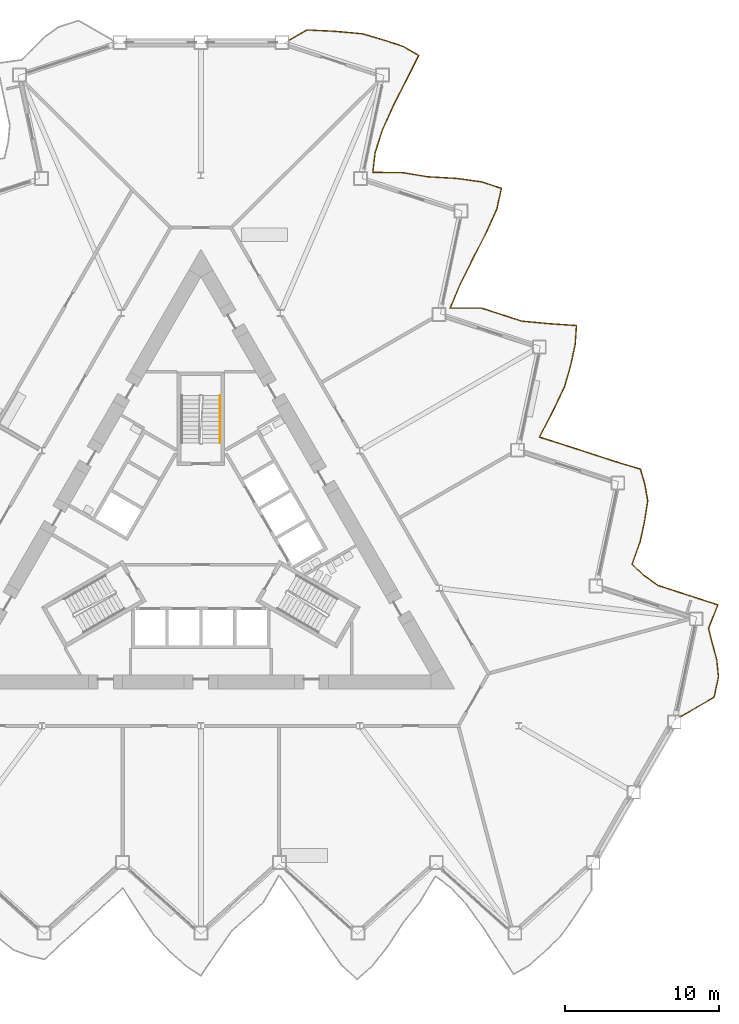
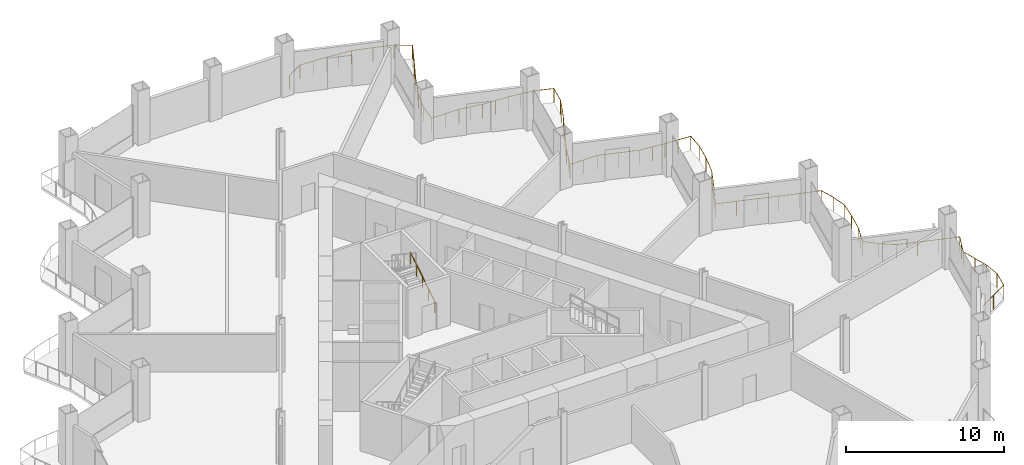
# One storey, part 19 of 21: 2 railings.
"""IFC4 building model written with IfcOpenShell, lengths in metres."""

from ifc_helpers import new_model, si_unit, direction, frame, origin, origin_2d, place, context, subcontext, project, spatial, circle, extrude, material, type_object, element, save


model = new_model("IFC4")

# Units and contexts
model_context = context("Model", 3, precision=1e-05, world=origin(), true_north=direction((0.0, 1.0)))
body_context = subcontext(model_context, "Body", "Model", "MODEL_VIEW")
ifc_project = project(units=[si_unit("LENGTHUNIT", "METRE"), si_unit("AREAUNIT", "SQUARE_METRE"), si_unit("VOLUMEUNIT", "CUBIC_METRE"), si_unit("PLANEANGLEUNIT", "RADIAN"), si_unit("MASSUNIT", "GRAM", prefix="KILO")], contexts=[model_context])

# Site, building, storey
site_placement = place(None, origin())
site = spatial("IfcSite", under=ifc_project, at=site_placement, CompositionType="ELEMENT")
building_placement = place(site_placement, origin())
building = spatial("IfcBuilding", under=site, at=building_placement, Name="Cormorant Prow Tower", CompositionType="ELEMENT")
storey_placement = place(building_placement, frame((0.0, 0.0, 150.0)))
storey = spatial("IfcBuildingStorey", under=building, at=storey_placement, Name="L32", CompositionType="ELEMENT", Elevation=150.0)

# Railings
ifc_material_1 = material(Name="Aluminium 6063-T6", Category="aluminium")
railing_type_1 = type_object("IfcRailingType", Name="Balcony guard 1100", PredefinedType="GUARDRAIL", material=ifc_material_1)
railing_1_placement = place(storey_placement, frame((31.134033203125, -11.3623046875, 0.0)))
element("IfcRailing", 1, at=railing_1_placement, inside=storey, type_object=railing_type_1, Name="Balcony guard ENE", PredefinedType="GUARDRAIL", context=body_context, shape_type="SweptSolid", body=[
    extrude(circle(Radius=0.02392578125, at=origin_2d()), frame((0.0, 0.0, 1.076171875), z_axis=(0.866030548046, 0.499991089772, 0.0), x_axis=(-0.499991089772, 0.866030548046, 0.0)), (0.0, 0.0, 1.0), 2.56982421875),
    extrude(circle(Radius=0.02392578125, at=origin_2d()), frame((2.2255859375, 1.284912109375, 1.076171875), z_axis=(0.207980456921, 0.978132981521, 0.0), x_axis=(-0.978132981521, 0.207980456921, 0.0)), (0.0, 0.0, 1.0), 1.367431640625),
    extrude(circle(Radius=0.02392578125, at=origin_2d()), frame((2.510009765625, 2.62255859375, 1.076171875), z_axis=(-0.097792362575, 0.995206839718, 0.0), x_axis=(-0.995206839718, -0.097792362575, 0.0)), (0.0, 0.0, 1.0), 1.115966796875),
    extrude(circle(Radius=0.02392578125, at=origin_2d()), frame((2.40087890625, 3.733154296875, 1.076171875), z_axis=(-0.261721970891, 0.965143310578, 0.0), x_axis=(-0.965143310578, -0.261721970891, 0.0)), (0.0, 0.0, 1.0), 1.05126953125),
    extrude(circle(Radius=0.02392578125, at=origin_2d()), frame((2.125732421875, 4.747802734375, 1.076171875), z_axis=(-0.249227083493, 0.968445073741, 0.0), x_axis=(-0.968445073741, -0.249227083493, 0.0)), (0.0, 0.0, 1.0), 1.054931640625),
    extrude(circle(Radius=0.02392578125, at=origin_2d()), frame((1.86279296875, 5.76953125, 1.076171875), z_axis=(0.373509920554, 0.927626185081, 0.0), x_axis=(-0.927626185081, 0.373509920554, 0.0)), (0.0, 0.0, 1.0), 1.647705078125),
    extrude(circle(Radius=0.02392578125, at=origin_2d()), frame((2.478271484375, 7.298095703125, 1.076171875), z_axis=(-0.951065546572, 0.30898920066, 0.0), x_axis=(-0.30898920066, -0.951065546572, 0.0)), (0.0, 0.0, 1.0), 1.36767578125),
    extrude(circle(Radius=0.02392578125, at=origin_2d()), frame((1.177490234375, 7.720703125, 1.076171875), z_axis=(-0.951048499749, 0.309041665678, 0.0), x_axis=(-0.309041665678, -0.951048499749, 0.0)), (0.0, 0.0, 1.0), 1.367431640625),
    extrude(circle(Radius=0.02392578125, at=origin_2d()), frame((-0.123046875, 8.143310546875, 1.076171875), z_axis=(-0.951048499749, 0.309041665678, 0.0), x_axis=(-0.309041665678, -0.951048499749, 0.0)), (0.0, 0.0, 1.0), 1.367431640625),
    extrude(circle(Radius=0.02392578125, at=origin_2d()), frame((-1.423583984375, 8.56591796875, 1.076171875), z_axis=(-0.814544647164, 0.580100868622, 0.0), x_axis=(-0.580100868622, -0.814544647164, 0.0)), (0.0, 0.0, 1.0), 1.117431640625),
    extrude(circle(Radius=0.02392578125, at=origin_2d()), frame((-2.333740234375, 9.214111328125, 1.076171875), z_axis=(-0.725740821588, 0.687968211388, 0.0), x_axis=(-0.687968211388, -0.725740821588, 0.0)), (0.0, 0.0, 1.0), 1.06005859375),
    extrude(circle(Radius=0.02392578125, at=origin_2d()), frame((-3.10302734375, 9.943359375, 1.076171875), z_axis=(0.337889431409, 0.941185811698, 0.0), x_axis=(-0.941185811698, 0.337889431409, 0.0)), (0.0, 0.0, 1.0), 1.572998046875),
    extrude(circle(Radius=0.02392578125, at=origin_2d()), frame((-2.571533203125, 11.423828125, 1.076171875), z_axis=(0.207980456921, 0.978132981521, 0.0), x_axis=(-0.978132981521, 0.207980456921, 0.0)), (0.0, 0.0, 1.0), 1.367431640625),
    extrude(circle(Radius=0.02392578125, at=origin_2d()), frame((-2.287109375, 12.761474609375, 1.076171875), z_axis=(0.156096807617, 0.987741761116, 0.0), x_axis=(-0.987741761116, 0.156096807617, 0.0)), (0.0, 0.0, 1.0), 1.3076171875),
    extrude(circle(Radius=0.02392578125, at=origin_2d()), frame((-2.0830078125, 14.052978515625, 1.076171875), z_axis=(-0.174094479096, 0.984728953747, 0.0), x_axis=(-0.984728953747, -0.174094479096, 0.0)), (0.0, 0.0, 1.0), 1.081298828125),
    extrude(circle(Radius=0.02392578125, at=origin_2d()), frame((-2.271240234375, 15.11767578125, 1.076171875), z_axis=(-0.275736863422, 0.961233157018, 0.0), x_axis=(-0.961233157018, -0.275736863422, 0.0)), (0.0, 0.0, 1.0), 1.04736328125),
    extrude(circle(Radius=0.02392578125, at=origin_2d()), frame((-2.56005859375, 16.12451171875, 1.076171875), z_axis=(-0.958884187978, 0.28379766392, 0.0), x_axis=(-0.28379766392, -0.958884187978, 0.0)), (0.0, 0.0, 1.0), 1.4013671875),
    extrude(circle(Radius=0.02392578125, at=origin_2d()), frame((-3.90380859375, 16.522216796875, 1.076171875), z_axis=(-0.951048499749, 0.309041665678, 0.0), x_axis=(-0.309041665678, -0.951048499749, 0.0)), (0.0, 0.0, 1.0), 1.367431640625),
    extrude(circle(Radius=0.02392578125, at=origin_2d()), frame((-5.204345703125, 16.94482421875, 1.076171875), z_axis=(-0.951117992339, 0.308827726491, 0.0), x_axis=(-0.308827726491, -0.951117992339, 0.0)), (0.0, 0.0, 1.0), 1.36767578125),
    extrude(circle(Radius=0.02392578125, at=origin_2d()), frame((-6.505126953125, 17.3671875, 1.076171875), z_axis=(-0.951048499749, 0.309041665678, 0.0), x_axis=(-0.309041665678, -0.951048499749, 0.0)), (0.0, 0.0, 1.0), 1.367431640625),
    extrude(circle(Radius=0.02392578125, at=origin_2d()), frame((-7.8056640625, 17.789794921875, 1.076171875), z_axis=(-0.953545163287, 0.301250098046, 0.0), x_axis=(-0.301250098046, -0.953545163287, 0.0)), (0.0, 0.0, 1.0), 1.377685546875),
    extrude(circle(Radius=0.02392578125, at=origin_2d()), frame((-9.119384765625, 18.204833984375, 1.076171875), z_axis=(0.457380335525, 0.889271178368, 0.0), x_axis=(-0.889271178368, 0.457380335525, 0.0)), (0.0, 0.0, 1.0), 1.877197265625),
    extrude(circle(Radius=0.02392578125, at=origin_2d()), frame((-8.2607421875, 19.874267578125, 1.076171875), z_axis=(0.431041668653, 0.902332023085, 0.0), x_axis=(-0.902332023085, 0.431041668653, 0.0)), (0.0, 0.0, 1.0), 1.79541015625),
    extrude(circle(Radius=0.02392578125, at=origin_2d()), frame((-7.48681640625, 21.494384765625, 1.076171875), z_axis=(0.275272276144, 0.961366305831, 0.0), x_axis=(-0.961366305831, 0.275272276144, 0.0)), (0.0, 0.0, 1.0), 1.46240234375),
    extrude(circle(Radius=0.02392578125, at=origin_2d()), frame((-7.084228515625, 22.900390625, 1.076171875), z_axis=(0.207980456921, 0.978132981521, 0.0), x_axis=(-0.978132981521, 0.207980456921, 0.0)), (0.0, 0.0, 1.0), 1.367431640625),
    extrude(circle(Radius=0.02392578125, at=origin_2d()), frame((-6.7998046875, 24.238037109375, 1.076171875), z_axis=(0.06685012291, 0.997763028513, 0.0), x_axis=(-0.997763028513, 0.06685012291, 0.0)), (0.0, 0.0, 1.0), 1.223388671875),
    extrude(circle(Radius=0.02392578125, at=origin_2d()), frame((-6.718017578125, 25.458740234375, 1.076171875), z_axis=(-0.997721934023, 0.067460672759, 0.0), x_axis=(-0.067460672759, -0.997721934023, 0.0)), (0.0, 0.0, 1.0), 1.823974609375),
    extrude(circle(Radius=0.02392578125, at=origin_2d()), frame((-8.537841796875, 25.581787109375, 1.076171875), z_axis=(-0.995611582396, 0.093581926669, 0.0), x_axis=(-0.093581926669, -0.995611582396, 0.0)), (0.0, 0.0, 1.0), 1.755859375),
    extrude(circle(Radius=0.02392578125, at=origin_2d()), frame((-10.285888671875, 25.74609375, 1.076171875), z_axis=(-0.951048499749, 0.309041665678, 0.0), x_axis=(-0.309041665678, -0.951048499749, 0.0)), (0.0, 0.0, 1.0), 1.367431640625),
    extrude(circle(Radius=0.02392578125, at=origin_2d()), frame((-11.58642578125, 26.168701171875, 1.076171875), z_axis=(-0.951065546572, 0.30898920066, 0.0), x_axis=(-0.30898920066, -0.951065546572, 0.0)), (0.0, 0.0, 1.0), 1.36767578125),
    extrude(circle(Radius=0.02392578125, at=origin_2d()), frame((-12.88720703125, 26.59130859375, 1.076171875), z_axis=(-0.999999281496, -0.001198752435, 0.0), x_axis=(0.001198752435, -0.999999281496, 0.0)), (0.0, 0.0, 1.0), 2.03662109375),
    extrude(circle(Radius=0.02392578125, at=origin_2d()), frame((-14.923828125, 26.5888671875, 1.076171875), z_axis=(0.383868777021, 0.923387655337, 0.0), x_axis=(-0.923387655337, 0.383868777021, 0.0)), (0.0, 0.0, 1.0), 1.672119140625),
    extrude(circle(Radius=0.02392578125, at=origin_2d()), frame((-14.281982421875, 28.1328125, 1.076171875), z_axis=(0.446152591368, 0.894956906904, 0.0), x_axis=(-0.894956906904, 0.446152591368, 0.0)), (0.0, 0.0, 1.0), 1.84130859375),
    extrude(circle(Radius=0.02392578125, at=origin_2d()), frame((-13.46044921875, 29.78076171875, 1.076171875), z_axis=(0.454827871642, 0.890579366018, 0.0), x_axis=(-0.890579366018, 0.454827871642, 0.0)), (0.0, 0.0, 1.0), 1.868408203125),
    extrude(circle(Radius=0.02392578125, at=origin_2d()), frame((-12.610595703125, 31.44482421875, 1.076171875), z_axis=(0.412389195131, 0.911007767112, 0.0), x_axis=(-0.911007767112, 0.412389195131, 0.0)), (0.0, 0.0, 1.0), 1.744140625),
    extrude(circle(Radius=0.02392578125, at=origin_2d()), frame((-11.891357421875, 33.03369140625, 1.076171875), z_axis=(0.214072719973, 0.976817726377, 0.0), x_axis=(-0.976817726377, 0.214072719973, 0.0)), (0.0, 0.0, 1.0), 1.37548828125),
    extrude(circle(Radius=0.02392578125, at=origin_2d()), frame((-11.596923828125, 34.377197265625, 1.076171875), z_axis=(-0.951048499749, 0.309041665678, 0.0), x_axis=(-0.309041665678, -0.951048499749, 0.0)), (0.0, 0.0, 1.0), 1.367431640625),
    extrude(circle(Radius=0.02392578125, at=origin_2d()), frame((-12.8974609375, 34.7998046875, 1.076171875), z_axis=(-0.990835539484, 0.135073808323, 0.0), x_axis=(-0.135073808323, -0.990835539484, 0.0)), (0.0, 0.0, 1.0), 1.6591796875),
    extrude(circle(Radius=0.02392578125, at=origin_2d()), frame((-14.54150390625, 35.02392578125, 1.076171875), z_axis=(-0.998427794116, 0.056053010054, 0.0), x_axis=(-0.056053010054, -0.998427794116, 0.0)), (0.0, 0.0, 1.0), 1.85546875),
    extrude(circle(Radius=0.02392578125, at=origin_2d()), frame((-16.39404296875, 35.1279296875, 1.076171875), z_axis=(-0.986165670984, 0.165762689928, 0.0), x_axis=(-0.165762689928, -0.986165670984, 0.0)), (0.0, 0.0, 1.0), 1.596435546875),
    extrude(circle(Radius=0.02392578125, at=origin_2d()), frame((-17.968505859375, 35.392578125, 1.076171875), z_axis=(-0.999908570262, 0.013522245233, 0.0), x_axis=(-0.013522245233, -0.999908570262, 0.0)), (0.0, 0.0, 1.0), 1.986083984375),
    extrude(circle(Radius=0.02392578125, at=origin_2d()), frame((-19.954345703125, 35.41943359375, 1.076171875), z_axis=(0.116181662896, 0.993227980479, 0.0), x_axis=(-0.993227980479, 0.116181662896, 0.0)), (0.0, 0.0, 1.0), 1.26708984375),
    extrude(circle(Radius=0.02392578125, at=origin_2d()), frame((-19.80712890625, 36.677978515625, 1.076171875), z_axis=(0.300501957046, 0.95378119808, 0.0), x_axis=(-0.95378119808, 0.300501957046, 0.0)), (0.0, 0.0, 1.0), 1.50390625),
    extrude(circle(Radius=0.02392578125, at=origin_2d()), frame((-19.355224609375, 38.1123046875, 1.076171875), z_axis=(0.408748731272, 0.912646960595, 0.0), x_axis=(-0.912646960595, 0.408748731272, 0.0)), (0.0, 0.0, 1.0), 1.734619140625),
    extrude(circle(Radius=0.02392578125, at=origin_2d()), frame((-18.646240234375, 39.6953125, 1.076171875), z_axis=(0.454108037881, 0.890946625748, 0.0), x_axis=(-0.890946625748, 0.454108037881, 0.0)), (0.0, 0.0, 1.0), 1.8662109375),
    extrude(circle(Radius=0.02392578125, at=origin_2d()), frame((-17.798828125, 41.35791015625, 1.076171875), z_axis=(0.447689657031, 0.894189001827, 0.0), x_axis=(-0.894189001827, 0.447689657031, 0.0)), (0.0, 0.0, 1.0), 1.845947265625),
    extrude(circle(Radius=0.02392578125, at=origin_2d()), frame((-16.972412109375, 43.008544921875, 1.076171875), z_axis=(-0.861778351782, 0.507285001158, 0.0), x_axis=(-0.507285001158, -0.861778351782, 0.0)), (0.0, 0.0, 1.0), 1.16796875),
    extrude(circle(Radius=0.02392578125, at=origin_2d()), frame((-17.97900390625, 43.60107421875, 1.076171875), z_axis=(-0.951048499749, 0.309041665678, 0.0), x_axis=(-0.309041665678, -0.951048499749, 0.0)), (0.0, 0.0, 1.0), 1.367431640625),
    extrude(circle(Radius=0.02392578125, at=origin_2d()), frame((-19.279541015625, 44.023681640625, 1.076171875), z_axis=(-0.959096159307, 0.283080478314, 0.0), x_axis=(-0.283080478314, -0.959096159307, 0.0)), (0.0, 0.0, 1.0), 1.40234375),
    extrude(circle(Radius=0.02392578125, at=origin_2d()), frame((-20.62451171875, 44.420654296875, 1.076171875), z_axis=(-0.995862492006, 0.090872971868, 0.0), x_axis=(-0.090872971868, -0.995862492006, 0.0)), (0.0, 0.0, 1.0), 1.762451171875),
    extrude(circle(Radius=0.02392578125, at=origin_2d()), frame((-22.379638671875, 44.580810546875, 1.076171875), z_axis=(-0.998759803281, 0.049788104509, 0.0), x_axis=(-0.049788104509, -0.998759803281, 0.0)), (0.0, 0.0, 1.0), 1.873291015625),
    extrude(circle(Radius=0.02392578125, at=origin_2d()), frame((-24.25048828125, 44.674072265625, 1.076171875), z_axis=(-0.866063834924, -0.499933429404, 0.0), x_axis=(0.499933429404, -0.866063834924, 0.0)), (0.0, 0.0, 1.0), 1.335693359375),
    extrude(circle(Radius=0.02099609375, at=origin_2d()), origin(), (0.0, 0.0, 1.0), 1.052001953125),
    extrude(circle(Radius=0.02099609375, at=origin_2d()), frame((1.11279296875, 0.642578125, 0.0)), (0.0, 0.0, 1.0), 1.052001953125),
    extrude(circle(Radius=0.02099609375, at=origin_2d()), frame((2.2255859375, 1.284912109375, 0.0)), (0.0, 0.0, 1.0), 1.052001953125),
    extrude(circle(Radius=0.02099609375, at=origin_2d()), frame((2.510009765625, 2.62255859375, 0.0)), (0.0, 0.0, 1.0), 1.052001953125),
    extrude(circle(Radius=0.02099609375, at=origin_2d()), frame((2.40087890625, 3.733154296875, 0.0)), (0.0, 0.0, 1.0), 1.052001953125),
    extrude(circle(Radius=0.02099609375, at=origin_2d()), frame((2.125732421875, 4.747802734375, 0.0)), (0.0, 0.0, 1.0), 1.052001953125),
    extrude(circle(Radius=0.02099609375, at=origin_2d()), frame((1.86279296875, 5.76953125, 0.0)), (0.0, 0.0, 1.0), 1.052001953125),
    extrude(circle(Radius=0.02099609375, at=origin_2d()), frame((2.17041015625, 6.53369140625, 0.0)), (0.0, 0.0, 1.0), 1.052001953125),
    extrude(circle(Radius=0.02099609375, at=origin_2d()), frame((2.478271484375, 7.298095703125, 0.0)), (0.0, 0.0, 1.0), 1.052001953125),
    extrude(circle(Radius=0.02099609375, at=origin_2d()), frame((1.177490234375, 7.720703125, 0.0)), (0.0, 0.0, 1.0), 1.052001953125),
    extrude(circle(Radius=0.02099609375, at=origin_2d()), frame((-0.123046875, 8.143310546875, 0.0)), (0.0, 0.0, 1.0), 1.052001953125),
    extrude(circle(Radius=0.02099609375, at=origin_2d()), frame((-1.423583984375, 8.56591796875, 0.0)), (0.0, 0.0, 1.0), 1.052001953125),
    extrude(circle(Radius=0.02099609375, at=origin_2d()), frame((-2.333740234375, 9.214111328125, 0.0)), (0.0, 0.0, 1.0), 1.052001953125),
    extrude(circle(Radius=0.02099609375, at=origin_2d()), frame((-3.10302734375, 9.943359375, 0.0)), (0.0, 0.0, 1.0), 1.052001953125),
    extrude(circle(Radius=0.02099609375, at=origin_2d()), frame((-2.83740234375, 10.68359375, 0.0)), (0.0, 0.0, 1.0), 1.052001953125),
    extrude(circle(Radius=0.02099609375, at=origin_2d()), frame((-2.571533203125, 11.423828125, 0.0)), (0.0, 0.0, 1.0), 1.052001953125),
    extrude(circle(Radius=0.02099609375, at=origin_2d()), frame((-2.287109375, 12.761474609375, 0.0)), (0.0, 0.0, 1.0), 1.052001953125),
    extrude(circle(Radius=0.02099609375, at=origin_2d()), frame((-2.0830078125, 14.052978515625, 0.0)), (0.0, 0.0, 1.0), 1.052001953125),
    extrude(circle(Radius=0.02099609375, at=origin_2d()), frame((-2.271240234375, 15.11767578125, 0.0)), (0.0, 0.0, 1.0), 1.052001953125),
    extrude(circle(Radius=0.02099609375, at=origin_2d()), frame((-2.56005859375, 16.12451171875, 0.0)), (0.0, 0.0, 1.0), 1.052001953125),
    extrude(circle(Radius=0.02099609375, at=origin_2d()), frame((-3.90380859375, 16.522216796875, 0.0)), (0.0, 0.0, 1.0), 1.052001953125),
    extrude(circle(Radius=0.02099609375, at=origin_2d()), frame((-5.204345703125, 16.94482421875, 0.0)), (0.0, 0.0, 1.0), 1.052001953125),
    extrude(circle(Radius=0.02099609375, at=origin_2d()), frame((-6.505126953125, 17.3671875, 0.0)), (0.0, 0.0, 1.0), 1.052001953125),
    extrude(circle(Radius=0.02099609375, at=origin_2d()), frame((-7.8056640625, 17.789794921875, 0.0)), (0.0, 0.0, 1.0), 1.052001953125),
    extrude(circle(Radius=0.02099609375, at=origin_2d()), frame((-9.119384765625, 18.204833984375, 0.0)), (0.0, 0.0, 1.0), 1.052001953125),
    extrude(circle(Radius=0.02099609375, at=origin_2d()), frame((-8.68994140625, 19.03955078125, 0.0)), (0.0, 0.0, 1.0), 1.052001953125),
    extrude(circle(Radius=0.02099609375, at=origin_2d()), frame((-8.2607421875, 19.874267578125, 0.0)), (0.0, 0.0, 1.0), 1.052001953125),
    extrude(circle(Radius=0.02099609375, at=origin_2d()), frame((-7.873779296875, 20.684326171875, 0.0)), (0.0, 0.0, 1.0), 1.052001953125),
    extrude(circle(Radius=0.02099609375, at=origin_2d()), frame((-7.48681640625, 21.494384765625, 0.0)), (0.0, 0.0, 1.0), 1.052001953125),
    extrude(circle(Radius=0.02099609375, at=origin_2d()), frame((-7.084228515625, 22.900390625, 0.0)), (0.0, 0.0, 1.0), 1.052001953125),
    extrude(circle(Radius=0.02099609375, at=origin_2d()), frame((-6.7998046875, 24.238037109375, 0.0)), (0.0, 0.0, 1.0), 1.052001953125),
    extrude(circle(Radius=0.02099609375, at=origin_2d()), frame((-6.718017578125, 25.458740234375, 0.0)), (0.0, 0.0, 1.0), 1.052001953125),
    extrude(circle(Radius=0.02099609375, at=origin_2d()), frame((-7.6279296875, 25.520263671875, 0.0)), (0.0, 0.0, 1.0), 1.052001953125),
    extrude(circle(Radius=0.02099609375, at=origin_2d()), frame((-8.537841796875, 25.581787109375, 0.0)), (0.0, 0.0, 1.0), 1.052001953125),
    extrude(circle(Radius=0.02099609375, at=origin_2d()), frame((-9.411865234375, 25.6640625, 0.0)), (0.0, 0.0, 1.0), 1.052001953125),
    extrude(circle(Radius=0.02099609375, at=origin_2d()), frame((-10.285888671875, 25.74609375, 0.0)), (0.0, 0.0, 1.0), 1.052001953125),
    extrude(circle(Radius=0.02099609375, at=origin_2d()), frame((-11.58642578125, 26.168701171875, 0.0)), (0.0, 0.0, 1.0), 1.052001953125),
    extrude(circle(Radius=0.02099609375, at=origin_2d()), frame((-12.88720703125, 26.59130859375, 0.0)), (0.0, 0.0, 1.0), 1.052001953125),
    extrude(circle(Radius=0.02099609375, at=origin_2d()), frame((-13.905517578125, 26.590087890625, 0.0)), (0.0, 0.0, 1.0), 1.052001953125),
    extrude(circle(Radius=0.02099609375, at=origin_2d()), frame((-14.923828125, 26.5888671875, 0.0)), (0.0, 0.0, 1.0), 1.052001953125),
    extrude(circle(Radius=0.02099609375, at=origin_2d()), frame((-14.60302734375, 27.36083984375, 0.0)), (0.0, 0.0, 1.0), 1.052001953125),
    extrude(circle(Radius=0.02099609375, at=origin_2d()), frame((-14.281982421875, 28.1328125, 0.0)), (0.0, 0.0, 1.0), 1.052001953125),
    extrude(circle(Radius=0.02099609375, at=origin_2d()), frame((-13.87109375, 28.956787109375, 0.0)), (0.0, 0.0, 1.0), 1.052001953125),
    extrude(circle(Radius=0.02099609375, at=origin_2d()), frame((-13.46044921875, 29.78076171875, 0.0)), (0.0, 0.0, 1.0), 1.052001953125),
    extrude(circle(Radius=0.02099609375, at=origin_2d()), frame((-13.03564453125, 30.61279296875, 0.0)), (0.0, 0.0, 1.0), 1.052001953125),
    extrude(circle(Radius=0.02099609375, at=origin_2d()), frame((-12.610595703125, 31.44482421875, 0.0)), (0.0, 0.0, 1.0), 1.052001953125),
    extrude(circle(Radius=0.02099609375, at=origin_2d()), frame((-12.2509765625, 32.2392578125, 0.0)), (0.0, 0.0, 1.0), 1.052001953125),
    extrude(circle(Radius=0.02099609375, at=origin_2d()), frame((-11.891357421875, 33.03369140625, 0.0)), (0.0, 0.0, 1.0), 1.052001953125),
    extrude(circle(Radius=0.02099609375, at=origin_2d()), frame((-11.596923828125, 34.377197265625, 0.0)), (0.0, 0.0, 1.0), 1.052001953125),
    extrude(circle(Radius=0.02099609375, at=origin_2d()), frame((-12.8974609375, 34.7998046875, 0.0)), (0.0, 0.0, 1.0), 1.052001953125),
    extrude(circle(Radius=0.02099609375, at=origin_2d()), frame((-13.719482421875, 34.911865234375, 0.0)), (0.0, 0.0, 1.0), 1.052001953125),
    extrude(circle(Radius=0.02099609375, at=origin_2d()), frame((-14.54150390625, 35.02392578125, 0.0)), (0.0, 0.0, 1.0), 1.052001953125),
    extrude(circle(Radius=0.02099609375, at=origin_2d()), frame((-15.4677734375, 35.075927734375, 0.0)), (0.0, 0.0, 1.0), 1.052001953125),
    extrude(circle(Radius=0.02099609375, at=origin_2d()), frame((-16.39404296875, 35.1279296875, 0.0)), (0.0, 0.0, 1.0), 1.052001953125),
    extrude(circle(Radius=0.02099609375, at=origin_2d()), frame((-17.18115234375, 35.26025390625, 0.0)), (0.0, 0.0, 1.0), 1.052001953125),
    extrude(circle(Radius=0.02099609375, at=origin_2d()), frame((-17.968505859375, 35.392578125, 0.0)), (0.0, 0.0, 1.0), 1.052001953125),
    extrude(circle(Radius=0.02099609375, at=origin_2d()), frame((-18.96142578125, 35.406005859375, 0.0)), (0.0, 0.0, 1.0), 1.052001953125),
    extrude(circle(Radius=0.02099609375, at=origin_2d()), frame((-19.954345703125, 35.41943359375, 0.0)), (0.0, 0.0, 1.0), 1.052001953125),
    extrude(circle(Radius=0.02099609375, at=origin_2d()), frame((-19.80712890625, 36.677978515625, 0.0)), (0.0, 0.0, 1.0), 1.052001953125),
    extrude(circle(Radius=0.02099609375, at=origin_2d()), frame((-19.5810546875, 37.39501953125, 0.0)), (0.0, 0.0, 1.0), 1.052001953125),
    extrude(circle(Radius=0.02099609375, at=origin_2d()), frame((-19.355224609375, 38.1123046875, 0.0)), (0.0, 0.0, 1.0), 1.052001953125),
    extrude(circle(Radius=0.02099609375, at=origin_2d()), frame((-19.000732421875, 38.90380859375, 0.0)), (0.0, 0.0, 1.0), 1.052001953125),
    extrude(circle(Radius=0.02099609375, at=origin_2d()), frame((-18.646240234375, 39.6953125, 0.0)), (0.0, 0.0, 1.0), 1.052001953125),
    extrude(circle(Radius=0.02099609375, at=origin_2d()), frame((-18.22265625, 40.526611328125, 0.0)), (0.0, 0.0, 1.0), 1.052001953125),
    extrude(circle(Radius=0.02099609375, at=origin_2d()), frame((-17.798828125, 41.35791015625, 0.0)), (0.0, 0.0, 1.0), 1.052001953125),
    extrude(circle(Radius=0.02099609375, at=origin_2d()), frame((-17.3857421875, 42.18310546875, 0.0)), (0.0, 0.0, 1.0), 1.052001953125),
    extrude(circle(Radius=0.02099609375, at=origin_2d()), frame((-16.972412109375, 43.008544921875, 0.0)), (0.0, 0.0, 1.0), 1.052001953125),
    extrude(circle(Radius=0.02099609375, at=origin_2d()), frame((-17.97900390625, 43.60107421875, 0.0)), (0.0, 0.0, 1.0), 1.052001953125),
    extrude(circle(Radius=0.02099609375, at=origin_2d()), frame((-19.279541015625, 44.023681640625, 0.0)), (0.0, 0.0, 1.0), 1.052001953125),
    extrude(circle(Radius=0.02099609375, at=origin_2d()), frame((-20.62451171875, 44.420654296875, 0.0)), (0.0, 0.0, 1.0), 1.052001953125),
    extrude(circle(Radius=0.02099609375, at=origin_2d()), frame((-21.501953125, 44.500732421875, 0.0)), (0.0, 0.0, 1.0), 1.052001953125),
    extrude(circle(Radius=0.02099609375, at=origin_2d()), frame((-22.379638671875, 44.580810546875, 0.0)), (0.0, 0.0, 1.0), 1.052001953125),
    extrude(circle(Radius=0.02099609375, at=origin_2d()), frame((-23.31494140625, 44.62744140625, 0.0)), (0.0, 0.0, 1.0), 1.052001953125),
    extrude(circle(Radius=0.02099609375, at=origin_2d()), frame((-24.25048828125, 44.674072265625, 0.0)), (0.0, 0.0, 1.0), 1.052001953125),
    extrude(circle(Radius=0.02099609375, at=origin_2d()), frame((-25.4072265625, 44.00634765625, 0.0)), (0.0, 0.0, 1.0), 1.052001953125),
])
ifc_material_2 = material(Name="Stainless steel", Category="steel")
railing_type_2 = type_object("IfcRailingType", Name="Stair handrail 900", PredefinedType="HANDRAIL", material=ifc_material_2)
railing_2_placement = place(storey_placement, frame((1.243896484375, 6.455810546875, 0.175048828125)))
element("IfcRailing", 2, at=railing_2_placement, inside=storey, type_object=railing_type_2, Name="L32 ST3 stair handrail 1", PredefinedType="HANDRAIL", context=body_context, shape_type="SweptSolid", body=[
    extrude(circle(Radius=0.02392578125, at=origin_2d()), frame((0.0, 0.0, 0.8759765625), z_axis=(0.0, 0.847998304005, 0.529998940003), x_axis=(-1.0, 0.0, 0.0)), (0.0, 0.0, 1.0), 3.632080078125),
    extrude(circle(Radius=0.02099609375, at=origin_2d()), origin(), (0.0, 0.0, 1.0), 0.851806640625),
    extrude(circle(Radius=0.02099609375, at=origin_2d()), frame((0.0, 0.77001953125, 0.481201171875)), (0.0, 0.0, 1.0), 0.851806640625),
    extrude(circle(Radius=0.02099609375, at=origin_2d()), frame((0.0, 1.5400390625, 0.96240234375)), (0.0, 0.0, 1.0), 0.851806640625),
    extrude(circle(Radius=0.02099609375, at=origin_2d()), frame((0.0, 2.31005859375, 1.44384765625)), (0.0, 0.0, 1.0), 0.851806640625),
    extrude(circle(Radius=0.02099609375, at=origin_2d()), frame((0.0, 3.080078125, 1.925048828125)), (0.0, 0.0, 1.0), 0.851806640625),
])

save(model, "model.ifc")
